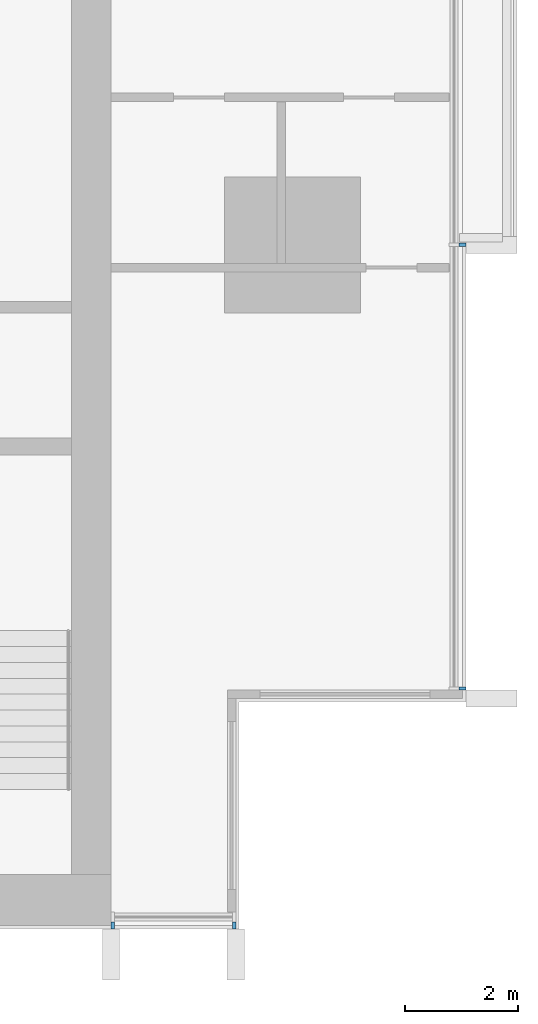
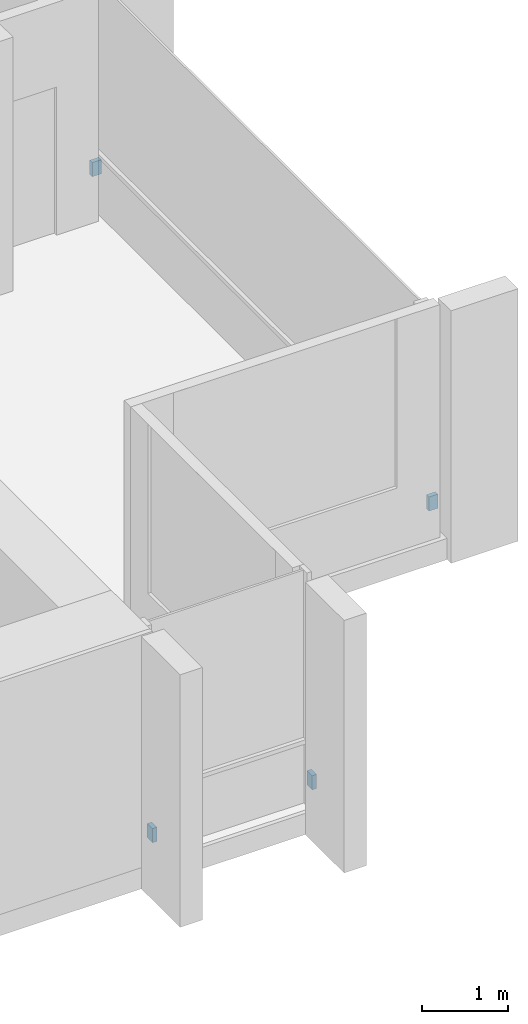
# One storey, part 13 of 16: 4 discrete accessories.
"""IFC4 building model written with IfcOpenShell, lengths in metres."""

from ifc_helpers import new_model, si_unit, direction, frame, origin, origin_2d, place, context, subcontext, project, spatial, rectangle, extrude, material, type_object, element, save


model = new_model("IFC4")

# Units and contexts
model_context = context("Model", 3, precision=1e-05, world=origin(), true_north=direction((0.0, 1.0)))
body_context = subcontext(model_context, "Body", "Model", "MODEL_VIEW")
ifc_project = project(units=[si_unit("LENGTHUNIT", "METRE"), si_unit("AREAUNIT", "SQUARE_METRE"), si_unit("VOLUMEUNIT", "CUBIC_METRE"), si_unit("PLANEANGLEUNIT", "RADIAN"), si_unit("MASSUNIT", "GRAM", prefix="KILO")], contexts=[model_context])

# Site, building, storey
site_placement = place(None, origin())
site = spatial("IfcSite", under=ifc_project, at=site_placement, CompositionType="ELEMENT")
building_placement = place(site_placement, origin())
building = spatial("IfcBuilding", under=site, at=building_placement, Name="Finial Court Residences", CompositionType="ELEMENT")
storey_placement = place(building_placement, frame((0.0, 0.0, 156.5)))
storey = spatial("IfcBuildingStorey", under=building, at=storey_placement, Name="L38", CompositionType="ELEMENT", Elevation=156.5)

# Discrete accessories
ifc_material = material(Name="Stainless steel 316", Category="steel")
discrete_accessory_type = type_object("IfcDiscreteAccessoryType", Name="Fin bracket, stainless steel 60 x 122 x 200", PredefinedType="BRACKET", material=ifc_material)
for number, where, z_axis, x_axis, name in (
    (1, (19.498779296875, -21.320068359375, 0.2998046875), (0.0, 0.0, 1.0), (1.0, 0.0, 0.0), "E-L38-FIN-E7-BRK"),
    (2, (19.498779296875, -13.5, 0.2998046875), (0.0, 0.0, 1.0), (1.0, 0.0, 0.0), "E-L38-FIN-E8-BRK"),
):
    element("IfcDiscreteAccessory", number, at=place(storey_placement, frame(where, z_axis=z_axis, x_axis=x_axis)), inside=storey, type_object=discrete_accessory_type, Name=name, PredefinedType="BRACKET", context=body_context, shape_type="SweptSolid", body=[
        extrude(rectangle(XDim=0.12255859375, YDim=0.06005859375, at=origin_2d()), origin(), (0.0, 0.0, 1.0), 0.199951171875),
    ])
for number, where, z_axis, x_axis, name in (
    (3, (13.330078125, -25.498779296875, 0.2998046875), (0.0, 0.0, 1.0), (1.0, 0.0, 0.0), "E-L38-FIN-S20-BRK"),
    (4, (15.469970703125, -25.498779296875, 0.2998046875), (0.0, 0.0, 1.0), (1.0, 0.0, 0.0), "E-L38-FIN-S21-BRK"),
):
    element("IfcDiscreteAccessory", number, at=place(storey_placement, frame(where, z_axis=z_axis, x_axis=x_axis)), inside=storey, type_object=discrete_accessory_type, Name=name, PredefinedType="BRACKET", context=body_context, shape_type="SweptSolid", body=[
        extrude(rectangle(XDim=0.06005859375, YDim=0.12255859375, at=origin_2d()), origin(), (0.0, 0.0, 1.0), 0.199951171875),
    ])

save(model, "model.ifc")
